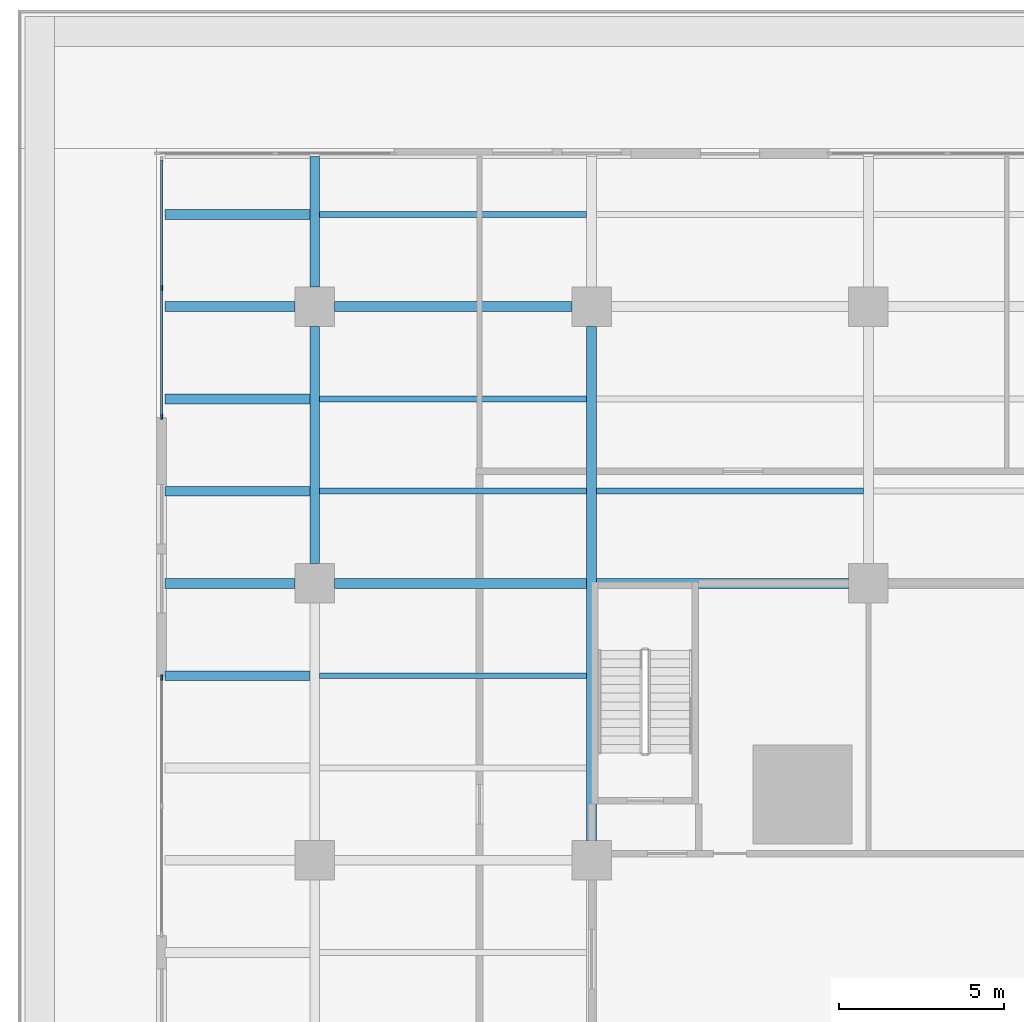
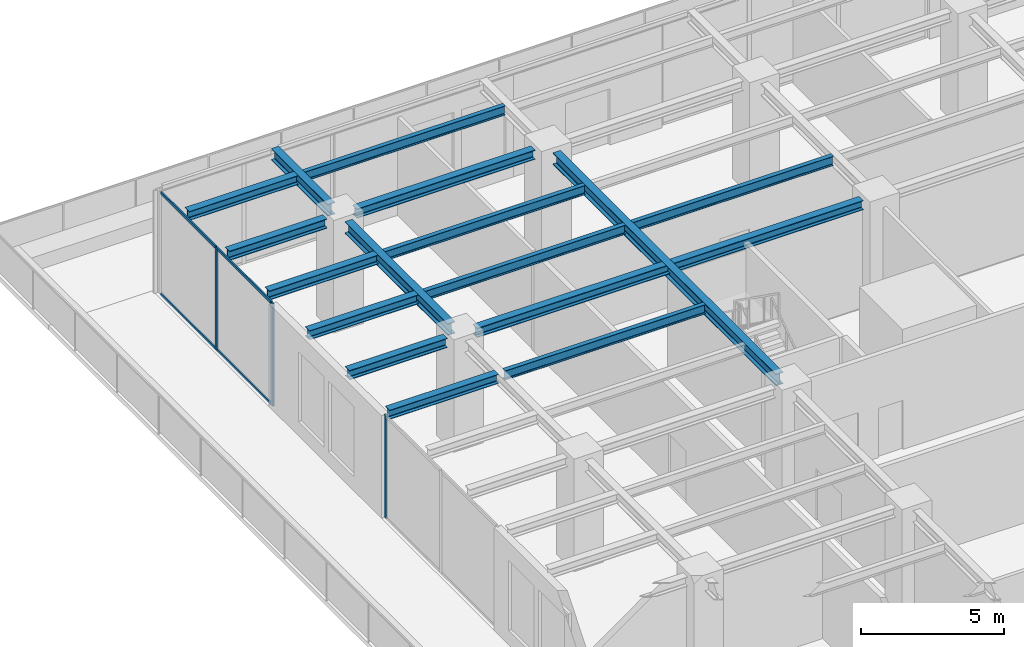
# One storey, part 10 of 32: 16 beams, 7 members, 2 elements without a shape of their own.
"""IFC4 building model written with IfcOpenShell, lengths in metres."""

from ifc_helpers import new_model, si_unit, direction, frame, origin, origin_2d, place, context, subcontext, project, spatial, rectangle, i_section, extrude, material, material_profile, profile_set, type_object, element, aggregate, save


model = new_model("IFC4")

# Units and contexts
model_context = context("Model", 3, precision=1e-05, world=origin(), true_north=direction((0.0, 1.0)))
body_context = subcontext(model_context, "Body", "Model", "MODEL_VIEW")
ifc_project = project(units=[si_unit("LENGTHUNIT", "METRE"), si_unit("AREAUNIT", "SQUARE_METRE"), si_unit("VOLUMEUNIT", "CUBIC_METRE"), si_unit("PLANEANGLEUNIT", "RADIAN"), si_unit("MASSUNIT", "GRAM", prefix="KILO")], contexts=[model_context])

# Site, building, storey
site_placement = place(None, origin())
site = spatial("IfcSite", under=ifc_project, at=site_placement, CompositionType="ELEMENT")
building_placement = place(site_placement, origin())
building = spatial("IfcBuilding", under=site, at=building_placement, Name="Khepri Terraces", CompositionType="ELEMENT")
storey_placement = place(building_placement, frame((0.0, 0.0, 12.0)))
storey = spatial("IfcBuildingStorey", under=building, at=storey_placement, Name="L02", CompositionType="ELEMENT", Elevation=12.0)

# Curtain wall, members
ifc_material_1 = material(Name="Anodised aluminium bronze curtain wall", Category="aluminium")
curtain_wall_type = type_object("IfcCurtainWallType", Name="CW-SYS2-PODIUM", PredefinedType="NOTDEFINED", material=ifc_material_1)
curtain_wall_1_placement = place(storey_placement, origin())
curtain_wall_1 = element("IfcCurtainWall", 1, at=curtain_wall_1_placement, inside=storey, type_object=curtain_wall_type, Name="Curtain wall CW2 L02 W", PredefinedType="NOTDEFINED")
ifc_material_2 = material(Name="Anodised aluminium bronze", Category="aluminium")
ifc_material_profile_1 = material_profile(ifc_material_2, rectangle(XDim=0.06005859375, YDim=0.159912109375, at=origin_2d()), Name="Anodised aluminium bronze", Category="aluminium")
ifc_profile_set_1 = profile_set([ifc_material_profile_1], Name="Anodised aluminium bronze")
member_type_1 = type_object("IfcMemberType", Name="CW-MULLION-60x160", PredefinedType="MULLION", material=ifc_profile_set_1)
member_1_placement = place(storey_placement, frame((-38.25, 34.169921875, 0.0), z_axis=(0.0, 0.0, 1.0), x_axis=(1.0, 0.0, 0.0)))
member_1 = element("IfcMember", 2, at=member_1_placement, type_object=member_type_1, Name="CW2 mullion 2", PredefinedType="MULLION", context=body_context, shape_type="SweptSolid", body=[
    extrude(rectangle(XDim=0.06005859375, YDim=0.159912109375, at=origin_2d()), origin(), (0.0, 0.0, 1.0), 4.3798828125),
])
member_2_placement = place(storey_placement, frame((-38.25, 30.27001953125, 0.0), z_axis=(0.0, 0.0, 1.0), x_axis=(1.0, 0.0, 0.0)))
member_2 = element("IfcMember", 3, at=member_2_placement, type_object=member_type_1, Name="CW2 mullion 3", PredefinedType="MULLION", context=body_context, shape_type="SweptSolid", body=[
    extrude(rectangle(XDim=0.06005859375, YDim=0.159912109375, at=origin_2d()), origin(), (0.0, 0.0, 1.0), 4.3798828125),
])

# Curtain wall, member
curtain_wall_2_placement = place(storey_placement, origin())
curtain_wall_2 = element("IfcCurtainWall", 4, at=curtain_wall_2_placement, inside=storey, type_object=curtain_wall_type, Name="Curtain wall CW2 L02 W", PredefinedType="NOTDEFINED")
member_3_placement = place(storey_placement, frame((-38.25, 22.35009765625, 0.0), z_axis=(0.0, 0.0, 1.0), x_axis=(1.0, 0.0, 0.0)))
member_3 = element("IfcMember", 5, at=member_3_placement, type_object=member_type_1, Name="CW2 mullion 1", PredefinedType="MULLION", context=body_context, shape_type="SweptSolid", body=[
    extrude(rectangle(XDim=0.06005859375, YDim=0.159912109375, at=origin_2d()), origin(), (0.0, 0.0, 1.0), 4.3798828125),
])
aggregate(curtain_wall_2, [member_3])

# Member
ifc_material_profile_2 = material_profile(ifc_material_2, rectangle(XDim=0.06005859375, YDim=0.1201171875, at=origin_2d()), Name="Anodised aluminium bronze", Category="aluminium")
ifc_profile_set_2 = profile_set([ifc_material_profile_2], Name="Anodised aluminium bronze")
member_type_2 = type_object("IfcMemberType", Name="CW-TRANSOM-60x120", PredefinedType="USERDEFINED", material=ifc_profile_set_2)
member_4_placement = place(storey_placement, frame((-38.25, 38.0400390625, 0.030029296875), z_axis=(0.0, -1.0, 0.0), x_axis=(1.0, 0.0, 0.0)))
member_4 = element("IfcMember", 6, at=member_4_placement, type_object=member_type_2, Name="CW2 transom 1.1", ObjectType="TRANSOM", PredefinedType="USERDEFINED", context=body_context, shape_type="SweptSolid", body=[
    extrude(rectangle(XDim=0.06005859375, YDim=0.1201171875, at=origin_2d()), origin(), (0.0, 0.0, 1.0), 3.840087890625),
])

member_5_placement = place(storey_placement, frame((-38.25, 38.0400390625, 4.35009765625), z_axis=(0.0, -1.0, 0.0), x_axis=(1.0, 0.0, 0.0)))
member_5 = element("IfcMember", 7, at=member_5_placement, type_object=member_type_2, Name="CW2 transom 1.2", ObjectType="TRANSOM", PredefinedType="USERDEFINED", context=body_context, shape_type="SweptSolid", body=[
    extrude(rectangle(XDim=0.06005859375, YDim=0.1201171875, at=origin_2d()), origin(), (0.0, 0.0, 1.0), 3.840087890625),
])

member_6_placement = place(storey_placement, frame((-38.25, 34.139892578125, 0.030029296875), z_axis=(0.0, -1.0, 0.0), x_axis=(1.0, 0.0, 0.0)))
member_6 = element("IfcMember", 8, at=member_6_placement, type_object=member_type_2, Name="CW2 transom 2.1", ObjectType="TRANSOM", PredefinedType="USERDEFINED", context=body_context, shape_type="SweptSolid", body=[
    extrude(rectangle(XDim=0.06005859375, YDim=0.1201171875, at=origin_2d()), origin(), (0.0, 0.0, 1.0), 3.83984375),
])

member_7_placement = place(storey_placement, frame((-38.25, 34.139892578125, 4.35009765625), z_axis=(0.0, -1.0, 0.0), x_axis=(1.0, 0.0, 0.0)))
member_7 = element("IfcMember", 9, at=member_7_placement, type_object=member_type_2, Name="CW2 transom 2.2", ObjectType="TRANSOM", PredefinedType="USERDEFINED", context=body_context, shape_type="SweptSolid", body=[
    extrude(rectangle(XDim=0.06005859375, YDim=0.1201171875, at=origin_2d()), origin(), (0.0, 0.0, 1.0), 3.83984375),
])

aggregate(curtain_wall_1, [member_1, member_2, member_4, member_5, member_6, member_7])

# Beams
ifc_material_3 = material(Name="Steel S355", Category="steel")
ifc_material_profile_3 = material_profile(ifc_material_3, i_section(OverallWidth=0.300048828125, OverallDepth=0.5, WebThickness=0.014404296875, FlangeThickness=0.028076171875, FilletRadius=0.027099609375, at=origin_2d()), Name="Steel S355", Category="steel")
ifc_profile_set_3 = profile_set([ifc_material_profile_3], Name="Steel S355")
beam_type_1 = type_object("IfcBeamType", Name="Podium cantilever girder L03 HEB 500", PredefinedType="BEAM", material=ifc_profile_set_3)
beam_1_placement = place(storey_placement, frame((-33.60009765625, 34.199951171875, 4.35009765625), z_axis=(0.0, 1.0, 0.0), x_axis=(-1.0, 0.0, 0.0)))
element("IfcBeam", 10, at=beam_1_placement, inside=storey, type_object=beam_type_1, Name="Podium girder L03 010", PredefinedType="BEAM", context=body_context, shape_type="SweptSolid", body=[
    extrude(i_section(OverallWidth=0.300048828125, OverallDepth=0.5, WebThickness=0.014404296875, FlangeThickness=0.028076171875, FilletRadius=0.027099609375, at=origin_2d()), origin(), (0.0, 0.0, 1.0), 3.949951171875),
])
ifc_material_profile_4 = material_profile(ifc_material_3, i_section(OverallWidth=0.300048828125, OverallDepth=0.389892578125, WebThickness=0.010986328125, FlangeThickness=0.01904296875, FilletRadius=0.027099609375, at=origin_2d()), Name="Steel S355", Category="steel")
ifc_profile_set_4 = profile_set([ifc_material_profile_4], Name="Steel S355")
beam_type_2 = type_object("IfcBeamType", Name="Podium cantilever joist L03 HEA 400", PredefinedType="JOIST", material=ifc_profile_set_4)
for number, where, z_axis, x_axis, name in (
    (11, (-38.14990234375, 22.39990234375, 4.405029296875), (1.0, 0.0, 0.0), (0.0, 1.0, 0.0), "Podium cantilever joist L03 113"),
    (12, (-38.14990234375, 28.0, 4.405029296875), (1.0, 0.0, 0.0), (0.0, 1.0, 0.0), "Podium cantilever joist L03 125"),
    (13, (-38.14990234375, 30.800048828125, 4.405029296875), (1.0, 0.0, 0.0), (0.0, 1.0, 0.0), "Podium cantilever joist L03 135"),
    (14, (-38.14990234375, 36.39990234375, 4.405029296875), (1.0, 0.0, 0.0), (0.0, 1.0, 0.0), "Podium cantilever joist L03 155"),
):
    element("IfcBeam", number, at=place(storey_placement, frame(where, z_axis=z_axis, x_axis=x_axis)), inside=storey, type_object=beam_type_2, Name=name, PredefinedType="JOIST", context=body_context, shape_type="SweptSolid", body=[
        extrude(i_section(OverallWidth=0.300048828125, OverallDepth=0.389892578125, WebThickness=0.010986328125, FlangeThickness=0.01904296875, FilletRadius=0.027099609375, at=origin_2d()), origin(), (0.0, 0.0, 1.0), 4.39990234375),
    ])
ifc_material_profile_5 = material_profile(ifc_material_3, i_section(OverallWidth=0.300048828125, OverallDepth=0.5, WebThickness=0.014404296875, FlangeThickness=0.028076171875, FilletRadius=0.027099609375, at=origin_2d()), Name="Steel S355", Category="steel")
ifc_profile_set_5 = profile_set([ifc_material_profile_5], Name="Steel S355")
beam_type_3 = type_object("IfcBeamType", Name="Podium girder L03 HEB 500", PredefinedType="BEAM", material=ifc_profile_set_5)
beam_2_placement = place(storey_placement, frame((-33.60009765625, 25.800048828125, 4.35009765625), z_axis=(0.0, 1.0, 0.0), x_axis=(-1.0, 0.0, 0.0)))
element("IfcBeam", 15, at=beam_2_placement, inside=storey, type_object=beam_type_3, Name="Podium girder L03 009", PredefinedType="BEAM", context=body_context, shape_type="SweptSolid", body=[
    extrude(i_section(OverallWidth=0.300048828125, OverallDepth=0.5, WebThickness=0.014404296875, FlangeThickness=0.028076171875, FilletRadius=0.027099609375, at=origin_2d()), origin(), (0.0, 0.0, 1.0), 7.199951171875),
])
beam_3_placement = place(storey_placement, frame((-25.199951171875, 17.39990234375, 4.35009765625), z_axis=(0.0, 1.0, 0.0), x_axis=(-1.0, 0.0, 0.0)))
element("IfcBeam", 16, at=beam_3_placement, inside=storey, type_object=beam_type_3, Name="Podium girder L03 017", PredefinedType="BEAM", context=body_context, shape_type="SweptSolid", body=[
    extrude(i_section(OverallWidth=0.300048828125, OverallDepth=0.5, WebThickness=0.014404296875, FlangeThickness=0.028076171875, FilletRadius=0.027099609375, at=origin_2d()), origin(), (0.0, 0.0, 1.0), 15.60009765625),
])
ifc_material_profile_6 = material_profile(ifc_material_3, i_section(OverallWidth=0.300048828125, OverallDepth=0.39990234375, WebThickness=0.013427734375, FlangeThickness=0.02392578125, FilletRadius=0.027099609375, at=origin_2d()), Name="Steel S355", Category="steel")
ifc_profile_set_6 = profile_set([ifc_material_profile_6], Name="Steel S355")
beam_type_4 = type_object("IfcBeamType", Name="Podium girder L03 grid line HEB 400", PredefinedType="BEAM", material=ifc_profile_set_6)
beam_4_placement = place(storey_placement, frame((-38.14990234375, 25.199951171875, 4.39990234375), z_axis=(1.0, 0.0, 0.0), x_axis=(0.0, 1.0, 0.0)))
element("IfcBeam", 17, at=beam_4_placement, inside=storey, type_object=beam_type_4, Name="Podium grid-line girder L03 117", PredefinedType="BEAM", context=body_context, shape_type="SweptSolid", body=[
    extrude(i_section(OverallWidth=0.300048828125, OverallDepth=0.39990234375, WebThickness=0.013427734375, FlangeThickness=0.02392578125, FilletRadius=0.027099609375, at=origin_2d()), origin(), (0.0, 0.0, 1.0), 3.949951171875),
])
beam_5_placement = place(storey_placement, frame((-33.0, 25.199951171875, 4.39990234375), z_axis=(1.0, 0.0, 0.0), x_axis=(0.0, 1.0, 0.0)))
element("IfcBeam", 18, at=beam_5_placement, inside=storey, type_object=beam_type_4, Name="Podium grid-line girder L03 118", PredefinedType="BEAM", context=body_context, shape_type="SweptSolid", body=[
    extrude(i_section(OverallWidth=0.300048828125, OverallDepth=0.39990234375, WebThickness=0.013427734375, FlangeThickness=0.02392578125, FilletRadius=0.027099609375, at=origin_2d()), origin(), (0.0, 0.0, 1.0), 15.60009765625),
])
beam_6_placement = place(storey_placement, frame((-38.14990234375, 33.60009765625, 4.39990234375), z_axis=(1.0, 0.0, 0.0), x_axis=(0.0, 1.0, 0.0)))
element("IfcBeam", 19, at=beam_6_placement, inside=storey, type_object=beam_type_4, Name="Podium grid-line girder L03 145", PredefinedType="BEAM", context=body_context, shape_type="SweptSolid", body=[
    extrude(i_section(OverallWidth=0.300048828125, OverallDepth=0.39990234375, WebThickness=0.013427734375, FlangeThickness=0.02392578125, FilletRadius=0.027099609375, at=origin_2d()), origin(), (0.0, 0.0, 1.0), 3.949951171875),
])
beam_7_placement = place(storey_placement, frame((-33.0, 33.60009765625, 4.39990234375), z_axis=(1.0, 0.0, 0.0), x_axis=(0.0, 1.0, 0.0)))
element("IfcBeam", 20, at=beam_7_placement, inside=storey, type_object=beam_type_4, Name="Podium grid-line girder L03 146", PredefinedType="BEAM", context=body_context, shape_type="SweptSolid", body=[
    extrude(i_section(OverallWidth=0.300048828125, OverallDepth=0.39990234375, WebThickness=0.013427734375, FlangeThickness=0.02392578125, FilletRadius=0.027099609375, at=origin_2d()), origin(), (0.0, 0.0, 1.0), 7.199951171875),
])
ifc_material_profile_7 = material_profile(ifc_material_3, i_section(OverallWidth=0.179931640625, OverallDepth=0.39990234375, WebThickness=0.008544921875, FlangeThickness=0.013427734375, FilletRadius=0.02099609375, at=origin_2d()), Name="Steel S355", Category="steel")
ifc_profile_set_7 = profile_set([ifc_material_profile_7], Name="Steel S355")
beam_type_5 = type_object("IfcBeamType", Name="Podium joist L03 IPE 400", PredefinedType="JOIST", material=ifc_profile_set_7)
for number, where, z_axis, x_axis, name in (
    (21, (-33.449951171875, 22.39990234375, 4.39990234375), (1.0, 0.0, 0.0), (0.0, 1.0, 0.0), "Podium joist L03 114"),
    (22, (-33.449951171875, 28.0, 4.39990234375), (1.0, 0.0, 0.0), (0.0, 1.0, 0.0), "Podium joist L03 126"),
):
    element("IfcBeam", number, at=place(storey_placement, frame(where, z_axis=z_axis, x_axis=x_axis)), inside=storey, type_object=beam_type_5, Name=name, PredefinedType="JOIST", context=body_context, shape_type="SweptSolid", body=[
        extrude(i_section(OverallWidth=0.179931640625, OverallDepth=0.39990234375, WebThickness=0.008544921875, FlangeThickness=0.013427734375, FilletRadius=0.02099609375, at=origin_2d()), origin(), (0.0, 0.0, 1.0), 8.099853515625),
    ])
beam_8_placement = place(storey_placement, frame((-25.050048828125, 28.0, 4.39990234375), z_axis=(1.0, 0.0, 0.0), x_axis=(0.0, 1.0, 0.0)))
element("IfcBeam", 23, at=beam_8_placement, inside=storey, type_object=beam_type_5, Name="Podium joist L03 127", PredefinedType="JOIST", context=body_context, shape_type="SweptSolid", body=[
    extrude(i_section(OverallWidth=0.179931640625, OverallDepth=0.39990234375, WebThickness=0.008544921875, FlangeThickness=0.013427734375, FilletRadius=0.02099609375, at=origin_2d()), origin(), (0.0, 0.0, 1.0), 8.10009765625),
])
for number, where, z_axis, x_axis, name in (
    (24, (-33.449951171875, 30.800048828125, 4.39990234375), (1.0, 0.0, 0.0), (0.0, 1.0, 0.0), "Podium joist L03 136"),
    (25, (-33.449951171875, 36.39990234375, 4.39990234375), (1.0, 0.0, 0.0), (0.0, 1.0, 0.0), "Podium joist L03 156"),
):
    element("IfcBeam", number, at=place(storey_placement, frame(where, z_axis=z_axis, x_axis=x_axis)), inside=storey, type_object=beam_type_5, Name=name, PredefinedType="JOIST", context=body_context, shape_type="SweptSolid", body=[
        extrude(i_section(OverallWidth=0.179931640625, OverallDepth=0.39990234375, WebThickness=0.008544921875, FlangeThickness=0.013427734375, FilletRadius=0.02099609375, at=origin_2d()), origin(), (0.0, 0.0, 1.0), 8.099853515625),
    ])

save(model, "model.ifc")
